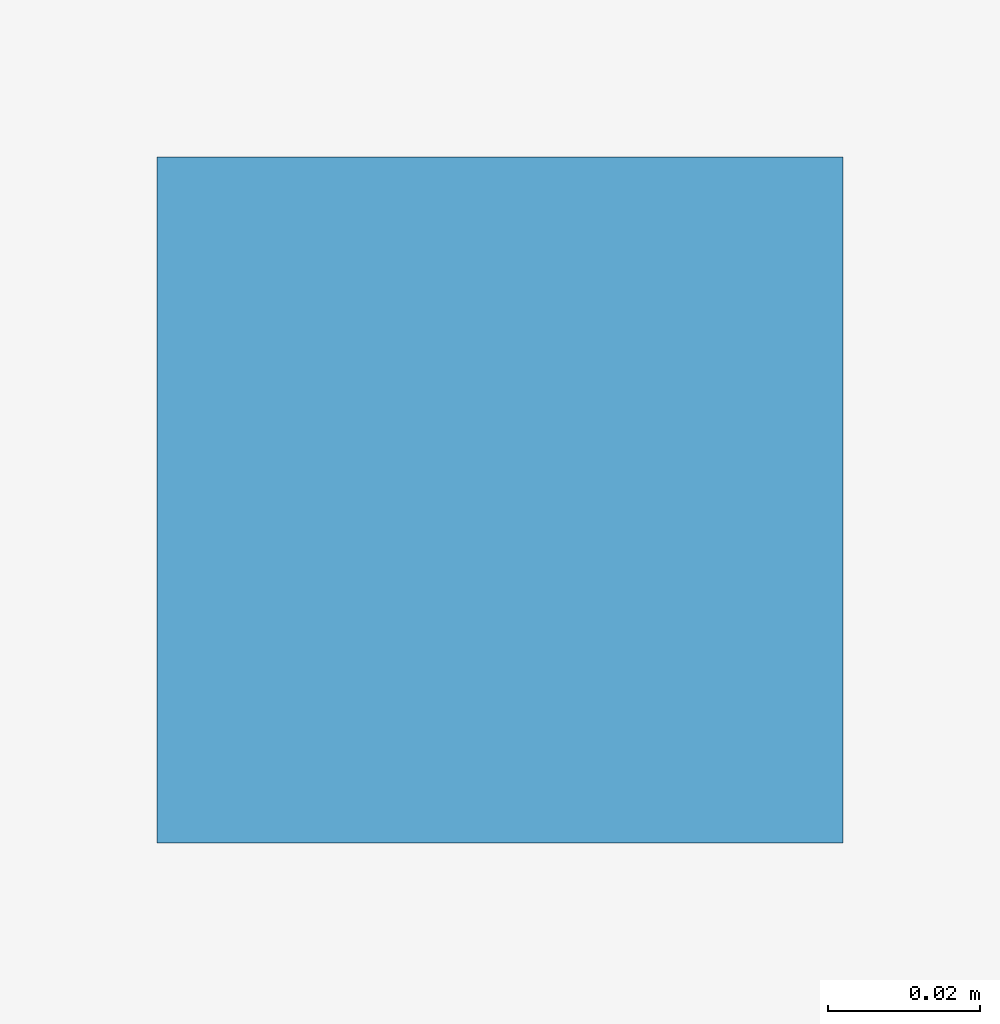
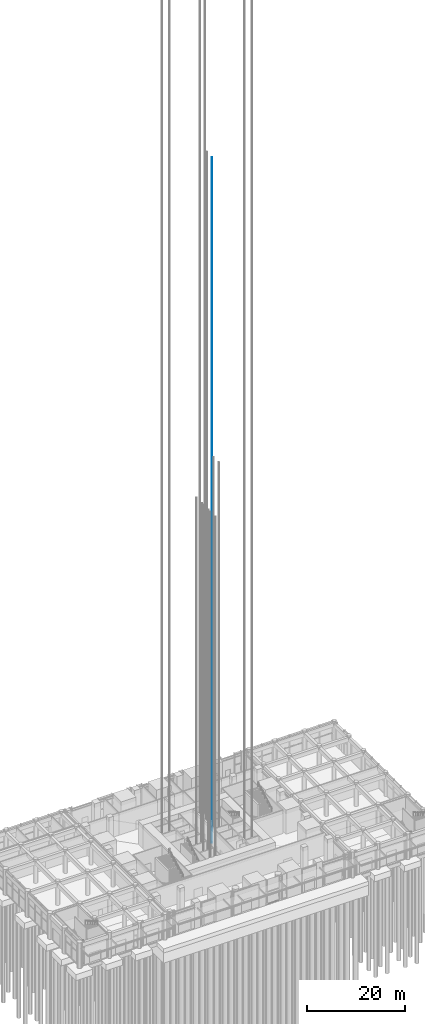
# One storey, part 37 of 46: 1 discrete accessory.
"""IFC4 building model written with IfcOpenShell, lengths in metres."""

from ifc_helpers import new_model, si_unit, direction, frame, origin, origin_2d, place, context, subcontext, project, spatial, rectangle, extrude, element, save


model = new_model("IFC4")

# Units and contexts
model_context = context("Model", 3, precision=1e-05, world=origin(), true_north=direction((0.0, 1.0)))
body_context = subcontext(model_context, "Body", "Model", "MODEL_VIEW")
ifc_project = project(units=[si_unit("LENGTHUNIT", "METRE"), si_unit("AREAUNIT", "SQUARE_METRE"), si_unit("VOLUMEUNIT", "CUBIC_METRE"), si_unit("PLANEANGLEUNIT", "RADIAN"), si_unit("MASSUNIT", "GRAM", prefix="KILO")], contexts=[model_context])

# Site, building, storey
site_placement = place(None, origin())
site = spatial("IfcSite", under=ifc_project, at=site_placement, CompositionType="ELEMENT")
building_placement = place(site_placement, origin())
building = spatial("IfcBuilding", under=site, at=building_placement, Name="Svetlomir Tower", CompositionType="ELEMENT")
storey_placement = place(building_placement, origin())
storey = spatial("IfcBuildingStorey", under=building, at=storey_placement, Name="L00", CompositionType="ELEMENT", Elevation=0.0)

# Discrete accessory
discrete_accessory_placement = place(storey_placement, frame((24.050048828125, 24.22509765625, 0.0), z_axis=(0.0, 0.0, 1.0), x_axis=(1.0, 0.0, 0.0)))
element("IfcDiscreteAccessory", 1, at=discrete_accessory_placement, inside=storey, Name="Lift SH2 guide rail 1", ObjectType="LIFT GUIDE RAIL", PredefinedType="USERDEFINED", context=body_context, shape_type="SweptSolid", body=[
    extrude(rectangle(XDim=0.090087890625, YDim=0.090087890625, at=origin_2d()), origin(), (0.0, 0.0, 1.0), 169.949951171875),
])

save(model, "model.ifc")
